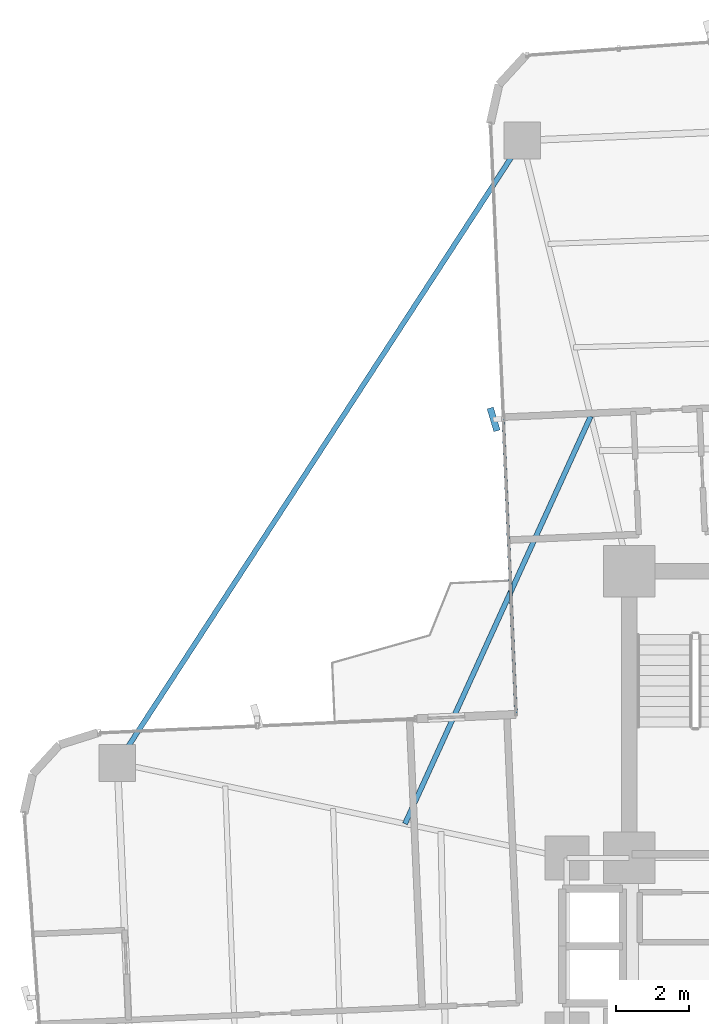
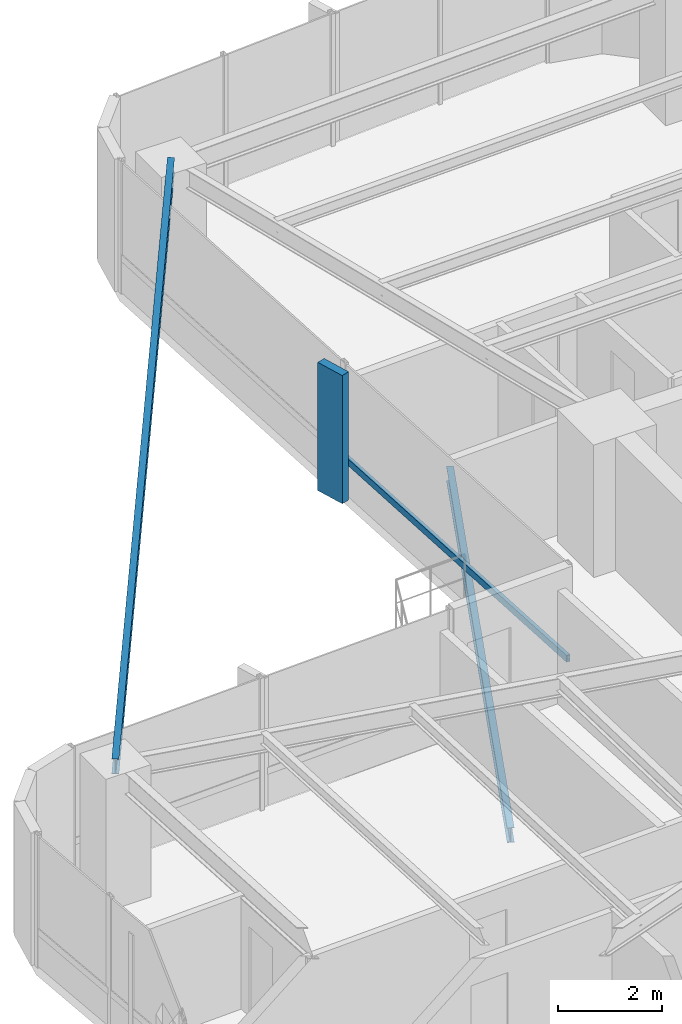
# One storey, part 16 of 26: 2 beams, 2 members, 1 element without a shape of its own.
"""IFC4 building model written with IfcOpenShell, lengths in metres."""

from ifc_helpers import new_model, si_unit, direction, frame, origin, origin_2d, place, context, subcontext, project, spatial, rectangle, hollow_rectangle, i_section, extrude, source, transform, mapped, material, material_profile, profile_set, type_object, element, aggregate, save


model = new_model("IFC4")

# Units and contexts
model_context = context("Model", 3, precision=1e-05, world=origin(), true_north=direction((0.0, 1.0)))
body_context = subcontext(model_context, "Body", "Model", "MODEL_VIEW")
ifc_project = project(units=[si_unit("LENGTHUNIT", "METRE"), si_unit("AREAUNIT", "SQUARE_METRE"), si_unit("VOLUMEUNIT", "CUBIC_METRE"), si_unit("PLANEANGLEUNIT", "RADIAN"), si_unit("MASSUNIT", "GRAM", prefix="KILO")], contexts=[model_context])

# Site, building, storey
site_placement = place(None, origin())
site = spatial("IfcSite", under=ifc_project, at=site_placement, CompositionType="ELEMENT")
building_placement = place(site_placement, origin())
building = spatial("IfcBuilding", under=site, at=building_placement, Name="Sahyath Konkavel Grand Hotel", CompositionType="ELEMENT")
storey_placement = place(building_placement, frame((0.0, 0.0, 111.449951171875)))
storey = spatial("IfcBuildingStorey", under=building, at=storey_placement, Name="L30", CompositionType="ELEMENT", Elevation=111.449951171875)

# Beam
ifc_material_1 = material(Name="Steel E350", Category="steel")
ifc_material_profile_1 = material_profile(ifc_material_1, i_section(OverallWidth=0.139892578125, OverallDepth=0.35009765625, WebThickness=0.008056640625, FlangeThickness=0.01416015625, FilletRadius=0.013916015625, at=origin_2d()), Name="ISMB 350")
ifc_profile_set_1 = profile_set([ifc_material_profile_1], Name="Steel E350")
beam_type_1 = type_object("IfcBeamType", Name="BM-ISMB350", PredefinedType="BEAM", material=ifc_profile_set_1)
shared_shape_1 = source(origin(), body_context, "Body", "SweptSolid", [
    extrude(i_section(OverallWidth=0.139892578125, OverallDepth=0.35009765625, WebThickness=0.008056640625, FlangeThickness=0.01416015625, FilletRadius=0.013916015625, at=origin_2d()), origin(), (0.0, 0.0, 1.0), 20.21533203125),
])
beam_1_placement = place(storey_placement, frame((-6.712890625, 21.927978515625, 2.93505859375), z_axis=(-0.545191244931, -0.838311700056, 0.0), x_axis=(0.838311700056, -0.545191244931, 0.0)))
element("IfcBeam", 1, at=beam_1_placement, inside=storey, type_object=beam_type_1, Name="L30 Re-Entrant Tie Beam NW", PredefinedType="BEAM", context=body_context, shape_type="MappedRepresentation", body=[
    mapped(shared_shape_1, transform((0.0, 0.0, 0.0), scale=1.0)),
])

# Curtain wall, members
ifc_material_2 = material(Name="Anodised Bronze Aluminium & Low-E Glazing", Category="aluminium")
curtain_wall_type = type_object("IfcCurtainWallType", Name="CW-ZONE2", PredefinedType="NOTDEFINED", material=ifc_material_2)
curtain_wall_placement = place(storey_placement, origin())
curtain_wall = element("IfcCurtainWall", 2, at=curtain_wall_placement, inside=storey, type_object=curtain_wall_type, Name="L30 Unitised Curtain Wall F15", PredefinedType="NOTDEFINED")
ifc_material_3 = material(Name="Warm Buff Sandstone Cladding on Concrete C50/60", Category="masonry")
ifc_material_profile_2 = material_profile(ifc_material_3, rectangle(XDim=0.179931640625, YDim=0.64990234375, at=origin_2d()), Name="FIN 180x650")
ifc_profile_set_2 = profile_set([ifc_material_profile_2], Name="Warm Buff Sandstone Cladding on Concrete C50/60")
member_type_1 = type_object("IfcMemberType", Name="FIN-SANDSTONE-650", PredefinedType="MULLION", material=ifc_profile_set_2)
shared_shape_2 = source(origin(), body_context, "Body", "SweptSolid", [
    extrude(rectangle(XDim=0.179931640625, YDim=0.64990234375, at=origin_2d()), origin(), (0.0, 0.0, 1.0), 3.010009765625),
])
member_1_placement = place(storey_placement, frame((-7.492431640625, 14.3369140625, 0.050048828125), z_axis=(0.0, 0.0, 1.0), x_axis=(0.958172857028, 0.286190104747, 0.0)))
member_1 = element("IfcMember", 3, at=member_1_placement, type_object=member_type_1, Name="L30 Sandstone Vertical Solar Fin FIN F15-1", PredefinedType="MULLION", context=body_context, shape_type="MappedRepresentation", body=[
    mapped(shared_shape_2, transform((0.0, 0.0, 0.0), scale=1.0)),
])
ifc_material_4 = material(Name="Anodised Bronze Aluminium", Category="aluminium")
ifc_material_profile_3 = material_profile(ifc_material_4, hollow_rectangle(XDim=0.080078125, YDim=0.159912109375, WallThickness=0.006103515625, at=origin_2d()), Name="RHS 160x80x6")
ifc_profile_set_3 = profile_set([ifc_material_profile_3], Name="Anodised Bronze Aluminium")
member_type_2 = type_object("IfcMemberType", Name="CW-TRN-160", PredefinedType="USERDEFINED", material=ifc_profile_set_3)
shared_shape_3 = source(origin(), body_context, "Body", "SweptSolid", [
    extrude(hollow_rectangle(XDim=0.080078125, YDim=0.159912109375, WallThickness=0.006103515625, at=origin_2d()), origin(), (0.0, 0.0, 1.0), 8.010009765625),
])
member_2_placement = place(storey_placement, frame((-7.232666015625, 14.34814453125, 0.85009765625), z_axis=(0.043615785896, -0.999048378819, 0.0), x_axis=(0.999048378819, 0.043615785896, 0.0)))
member_2 = element("IfcMember", 4, at=member_2_placement, type_object=member_type_2, Name="L30 Curtain Wall Transom F15-1-spandrel", ObjectType="TRANSOM", PredefinedType="USERDEFINED", context=body_context, shape_type="MappedRepresentation", body=[
    mapped(shared_shape_3, transform((0.0, 0.0, 0.0), scale=1.0)),
])
aggregate(curtain_wall, [member_1, member_2])

# Beam
ifc_material_profile_4 = material_profile(ifc_material_1, i_section(OverallWidth=0.139892578125, OverallDepth=0.35009765625, WebThickness=0.008056640625, FlangeThickness=0.01416015625, FilletRadius=0.013916015625, at=origin_2d()), Name="ISMB 350")
ifc_profile_set_4 = profile_set([ifc_material_profile_4], Name="Steel E350")
beam_type_2 = type_object("IfcBeamType", Name="BM-BALC-CANT", PredefinedType="BEAM", material=ifc_profile_set_4)
shared_shape_4 = source(origin(), body_context, "Body", "SweptSolid", [
    extrude(i_section(OverallWidth=0.139892578125, OverallDepth=0.35009765625, WebThickness=0.008056640625, FlangeThickness=0.01416015625, FilletRadius=0.013916015625, at=origin_2d()), origin(), (0.0, 0.0, 1.0), 12.190673828125),
])
beam_2_placement = place(storey_placement, frame((-4.8486328125, 14.422119140625, -0.4150390625), z_axis=(-0.414712580086, -0.909952458054, 0.0), x_axis=(0.909952458054, -0.414712580086, 0.0)))
element("IfcBeam", 5, at=beam_2_placement, inside=storey, type_object=beam_type_2, Name="L30 Balcony Cantilever Support Beam NW", PredefinedType="BEAM", context=body_context, shape_type="MappedRepresentation", body=[
    mapped(shared_shape_4, transform((0.0, 0.0, 0.0), scale=1.0)),
])

save(model, "model.ifc")
